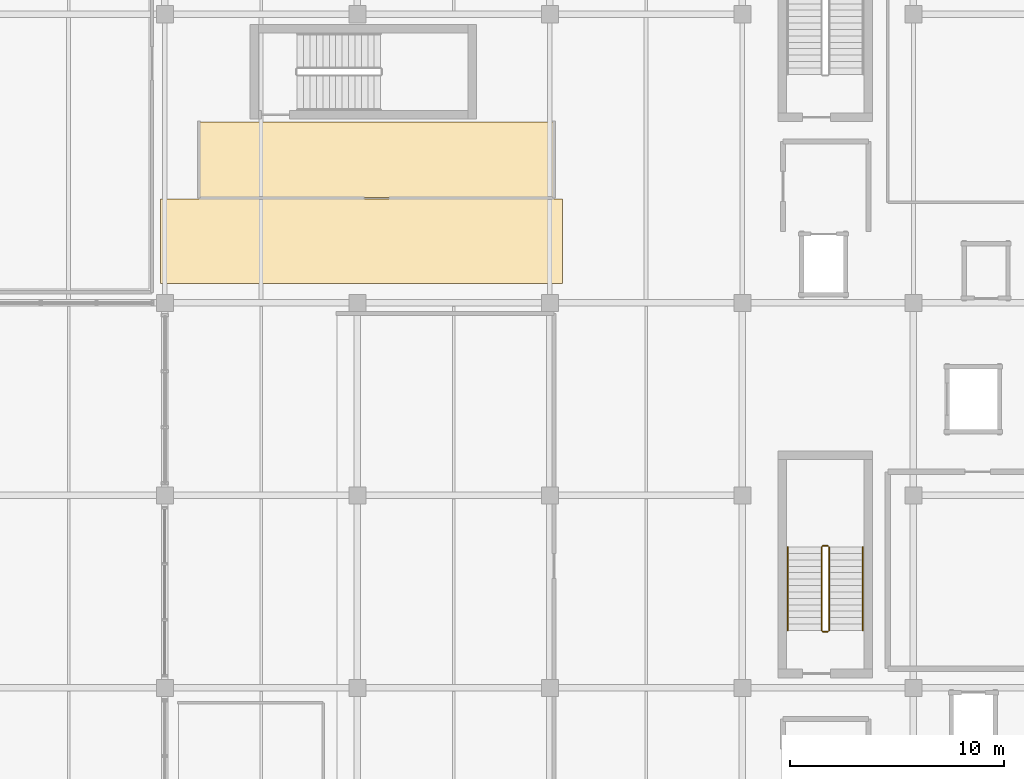
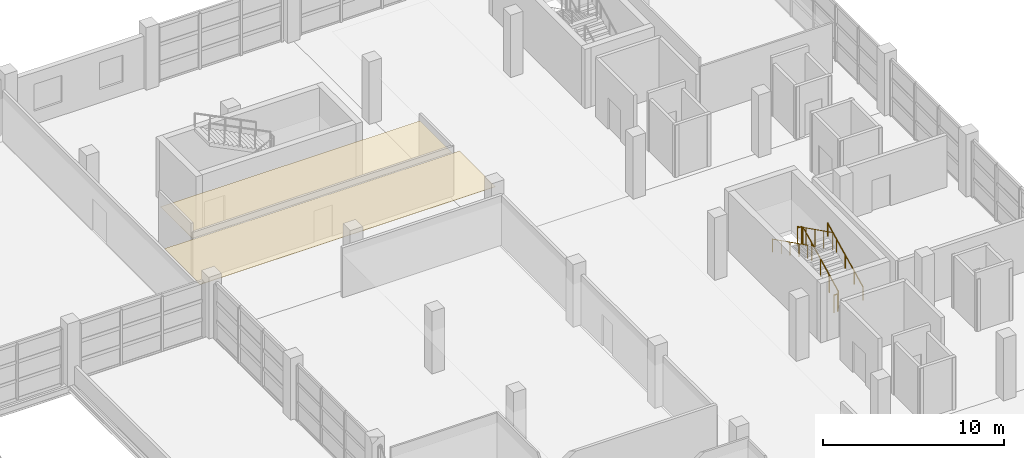
# One storey, part 133 of 136: 6 railings, 2 coverings.
"""IFC4 building model written with IfcOpenShell, lengths in metres."""

from ifc_helpers import new_model, si_unit, direction, frame, origin, origin_2d, place, context, subcontext, project, spatial, polyline, circle, outline, extrude, material, layer, layer_set, type_object, element, save


model = new_model("IFC4")

# Units and contexts
model_context = context("Model", 3, precision=1e-05, world=origin(), true_north=direction((0.0, 1.0)))
body_context = subcontext(model_context, "Body", "Model", "MODEL_VIEW")
ifc_project = project(units=[si_unit("LENGTHUNIT", "METRE"), si_unit("AREAUNIT", "SQUARE_METRE"), si_unit("VOLUMEUNIT", "CUBIC_METRE"), si_unit("PLANEANGLEUNIT", "RADIAN"), si_unit("MASSUNIT", "GRAM", prefix="KILO")], contexts=[model_context])

# Site, building, storey
site_placement = place(None, origin())
site = spatial("IfcSite", under=ifc_project, at=site_placement, CompositionType="ELEMENT")
building_placement = place(site_placement, origin())
building = spatial("IfcBuilding", under=site, at=building_placement, Name="Chuanluo Vaults Station", CompositionType="ELEMENT")
storey_placement = place(building_placement, frame((0.0, 0.0, 6.60009765625)))
storey = spatial("IfcBuildingStorey", under=building, at=storey_placement, Name="L01", CompositionType="ELEMENT", Elevation=6.60009765625)

# Coverings
ifc_material_1 = material(Name="Acoustic mineral-fibre tile")
ifc_layer = layer(ifc_material_1, 0.02490234375)
ifc_layer_set = layer_set([ifc_layer], Name="Acoustic mineral-fibre tile")
covering_type = type_object("IfcCoveringType", Name="COV-CEIL-TILE", PredefinedType="CEILING", material=ifc_layer_set)
covering_1_placement = place(storey_placement, frame((0.0, 0.0, 2.849853515625)))
element("IfcCovering", 1, at=covering_1_placement, inside=storey, type_object=covering_type, Name="L01-18 suspended acoustic ceiling", PredefinedType="CEILING", context=body_context, shape_type="SweptSolid", body=[
    extrude(outline(polyline([(144.800048828125, 104.39990234375), (163.60009765625, 104.39990234375), (163.60009765625, 108.360107421875), (144.800048828125, 108.360107421875), (144.800048828125, 104.39990234375)])), origin(), (0.0, 0.0, 1.0), 0.025146484375),
])
covering_2_placement = place(storey_placement, frame((0.0, 0.0, 2.849853515625)))
element("IfcCovering", 2, at=covering_2_placement, inside=storey, type_object=covering_type, Name="L01-21 suspended acoustic ceiling", PredefinedType="CEILING", context=body_context, shape_type="SweptSolid", body=[
    extrude(outline(polyline([(146.639892578125, 108.43994140625), (163.159912109375, 108.43994140625), (163.159912109375, 111.9599609375), (146.639892578125, 111.9599609375), (146.639892578125, 108.43994140625)])), origin(), (0.0, 0.0, 1.0), 0.025146484375),
])

# Railings
ifc_material_2 = material(Name="Tempered laminated balustrade glass", Category="glass")
railing_type_1 = type_object("IfcRailingType", Name="RLG-GUARD-1200", PredefinedType="BALUSTRADE", material=ifc_material_2)
railing_1_placement = place(storey_placement, frame((176.052490234375, 88.1875, 0.14990234375)))
element("IfcRailing", 3, at=railing_1_placement, inside=storey, type_object=railing_type_1, Name="L01 ST-01 stair guard 1", PredefinedType="BALUSTRADE", context=body_context, shape_type="SweptSolid", body=[
    extrude(circle(Radius=0.02392578125, at=origin_2d()), frame((0.0, 0.0, 1.17578125), z_axis=(0.0, 0.894427191, 0.4472135955), x_axis=(-1.0, 0.0, 0.0)), (0.0, 0.0, 1.0), 4.360107421875),
    extrude(circle(Radius=0.02099609375, at=origin_2d()), origin(), (0.0, 0.0, 1.0), 1.15185546875),
    extrude(circle(Radius=0.02099609375, at=origin_2d()), frame((0.0, 0.97509765625, 0.487548828125)), (0.0, 0.0, 1.0), 1.15185546875),
    extrude(circle(Radius=0.02099609375, at=origin_2d()), frame((0.0, 1.949951171875, 0.97509765625)), (0.0, 0.0, 1.0), 1.15185546875),
    extrude(circle(Radius=0.02099609375, at=origin_2d()), frame((0.0, 2.9248046875, 1.46240234375)), (0.0, 0.0, 1.0), 1.15185546875),
    extrude(circle(Radius=0.02099609375, at=origin_2d()), frame((0.0, 3.89990234375, 1.949951171875)), (0.0, 0.0, 1.0), 1.15185546875),
])
railing_2_placement = place(storey_placement, frame((176.00244140625, 92.137451171875, 2.099853515625)))
element("IfcRailing", 4, at=railing_2_placement, inside=storey, type_object=railing_type_1, Name="L01 ST-01 stair guard 2", PredefinedType="BALUSTRADE", context=body_context, shape_type="SweptSolid", body=[
    extrude(circle(Radius=0.02392578125, at=origin_2d()), frame((0.0, 0.0, 1.17578125), z_axis=(-1.0, 0.0, 0.0), x_axis=(0.0, -1.0, 0.0)), (0.0, 0.0, 1.0), 0.25),
    extrude(circle(Radius=0.02099609375, at=origin_2d()), origin(), (0.0, 0.0, 1.0), 1.15185546875),
    extrude(circle(Radius=0.02099609375, at=origin_2d()), frame((-0.25, 0.0, 0.0)), (0.0, 0.0, 1.0), 1.15185546875),
])
railing_3_placement = place(storey_placement, frame((175.702392578125, 92.08740234375, 2.25)))
element("IfcRailing", 5, at=railing_3_placement, inside=storey, type_object=railing_type_1, Name="L01 ST-01 stair guard 3", PredefinedType="BALUSTRADE", context=body_context, shape_type="SweptSolid", body=[
    extrude(circle(Radius=0.02392578125, at=origin_2d()), frame((0.0, 0.0, 1.17578125), z_axis=(0.0, -0.894427191, 0.4472135955), x_axis=(1.0, 0.0, 0.0)), (0.0, 0.0, 1.0), 4.360107421875),
    extrude(circle(Radius=0.02099609375, at=origin_2d()), origin(), (0.0, 0.0, 1.0), 1.15185546875),
    extrude(circle(Radius=0.02099609375, at=origin_2d()), frame((0.0, -0.97509765625, 0.487548828125)), (0.0, 0.0, 1.0), 1.15185546875),
    extrude(circle(Radius=0.02099609375, at=origin_2d()), frame((0.0, -1.949951171875, 0.97509765625)), (0.0, 0.0, 1.0), 1.15185546875),
    extrude(circle(Radius=0.02099609375, at=origin_2d()), frame((0.0, -2.9248046875, 1.46240234375)), (0.0, 0.0, 1.0), 1.15185546875),
    extrude(circle(Radius=0.02099609375, at=origin_2d()), frame((0.0, -3.89990234375, 1.949951171875)), (0.0, 0.0, 1.0), 1.15185546875),
])
railing_4_placement = place(storey_placement, frame((176.00244140625, 88.137451171875, 0.0)))
element("IfcRailing", 6, at=railing_4_placement, inside=storey, type_object=railing_type_1, Name="L01 ST-01 stair guard 4", PredefinedType="BALUSTRADE", context=body_context, shape_type="SweptSolid", body=[
    extrude(circle(Radius=0.02392578125, at=origin_2d()), frame((0.0, 0.0, 1.17578125), z_axis=(-1.0, 0.0, 0.0), x_axis=(0.0, -1.0, 0.0)), (0.0, 0.0, 1.0), 0.25),
    extrude(circle(Radius=0.02099609375, at=origin_2d()), origin(), (0.0, 0.0, 1.0), 1.15185546875),
    extrude(circle(Radius=0.02099609375, at=origin_2d()), frame((-0.25, 0.0, 0.0)), (0.0, 0.0, 1.0), 1.15185546875),
])
ifc_material_3 = material(Name="Brushed stainless steel 304", Category="steel")
railing_type_2 = type_object("IfcRailingType", Name="RLG-HAND-900", PredefinedType="HANDRAIL", material=ifc_material_3)
railing_5_placement = place(storey_placement, frame((177.637451171875, 88.1875, 0.14990234375)))
element("IfcRailing", 7, at=railing_5_placement, inside=storey, type_object=railing_type_2, Name="L01 ST-01 stair handrail 1", PredefinedType="HANDRAIL", context=body_context, shape_type="SweptSolid", body=[
    extrude(circle(Radius=0.02392578125, at=origin_2d()), frame((0.0, 0.0, 0.8759765625), z_axis=(0.0, 0.894427191, 0.4472135955), x_axis=(-1.0, 0.0, 0.0)), (0.0, 0.0, 1.0), 4.360107421875),
    extrude(circle(Radius=0.02099609375, at=origin_2d()), origin(), (0.0, 0.0, 1.0), 0.851806640625),
    extrude(circle(Radius=0.02099609375, at=origin_2d()), frame((0.0, 0.97509765625, 0.487548828125)), (0.0, 0.0, 1.0), 0.851806640625),
    extrude(circle(Radius=0.02099609375, at=origin_2d()), frame((0.0, 1.949951171875, 0.97509765625)), (0.0, 0.0, 1.0), 0.851806640625),
    extrude(circle(Radius=0.02099609375, at=origin_2d()), frame((0.0, 2.9248046875, 1.46240234375)), (0.0, 0.0, 1.0), 0.851806640625),
    extrude(circle(Radius=0.02099609375, at=origin_2d()), frame((0.0, 3.89990234375, 1.949951171875)), (0.0, 0.0, 1.0), 0.851806640625),
])
railing_6_placement = place(storey_placement, frame((174.117431640625, 92.08740234375, 2.25)))
element("IfcRailing", 8, at=railing_6_placement, inside=storey, type_object=railing_type_2, Name="L01 ST-01 stair handrail 2", PredefinedType="HANDRAIL", context=body_context, shape_type="SweptSolid", body=[
    extrude(circle(Radius=0.02392578125, at=origin_2d()), frame((0.0, 0.0, 0.8759765625), z_axis=(0.0, -0.894427191, 0.4472135955), x_axis=(1.0, 0.0, 0.0)), (0.0, 0.0, 1.0), 4.360107421875),
    extrude(circle(Radius=0.02099609375, at=origin_2d()), origin(), (0.0, 0.0, 1.0), 0.851806640625),
    extrude(circle(Radius=0.02099609375, at=origin_2d()), frame((0.0, -0.97509765625, 0.487548828125)), (0.0, 0.0, 1.0), 0.851806640625),
    extrude(circle(Radius=0.02099609375, at=origin_2d()), frame((0.0, -1.949951171875, 0.97509765625)), (0.0, 0.0, 1.0), 0.851806640625),
    extrude(circle(Radius=0.02099609375, at=origin_2d()), frame((0.0, -2.9248046875, 1.46240234375)), (0.0, 0.0, 1.0), 0.851806640625),
    extrude(circle(Radius=0.02099609375, at=origin_2d()), frame((0.0, -3.89990234375, 1.949951171875)), (0.0, 0.0, 1.0), 0.851806640625),
])

save(model, "model.ifc")
